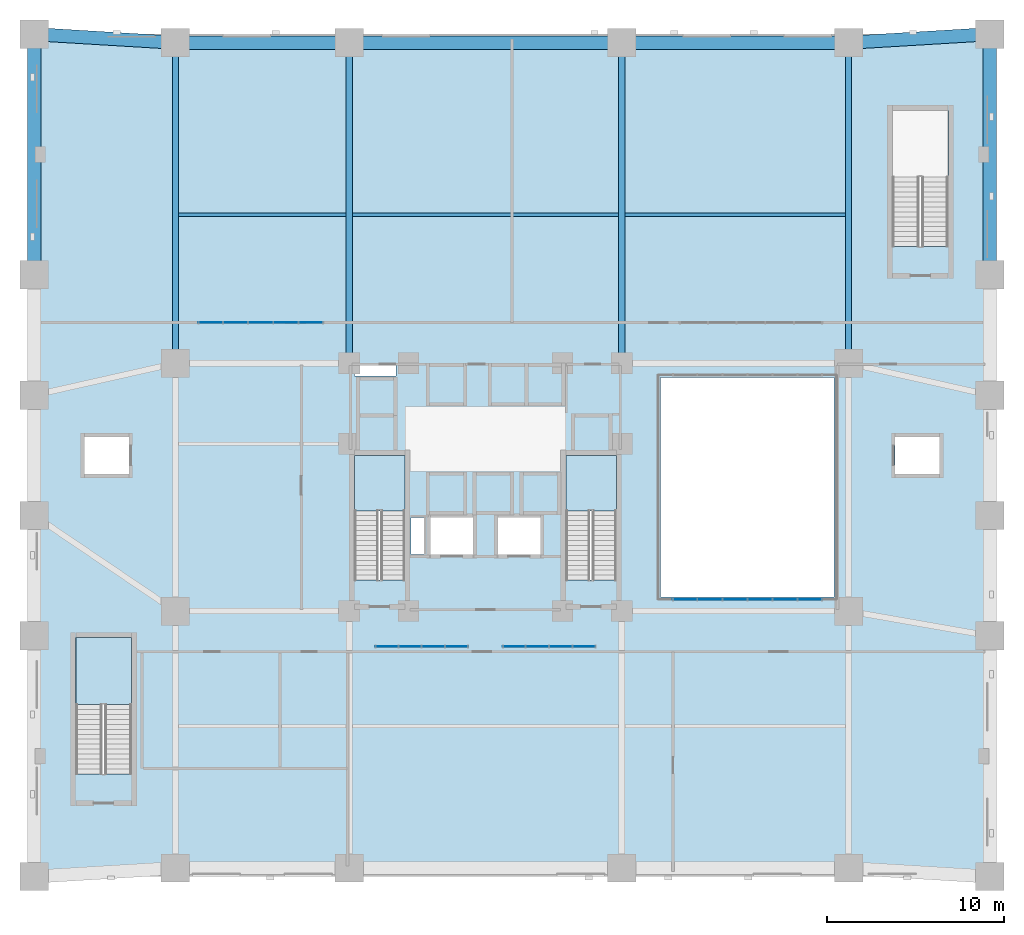
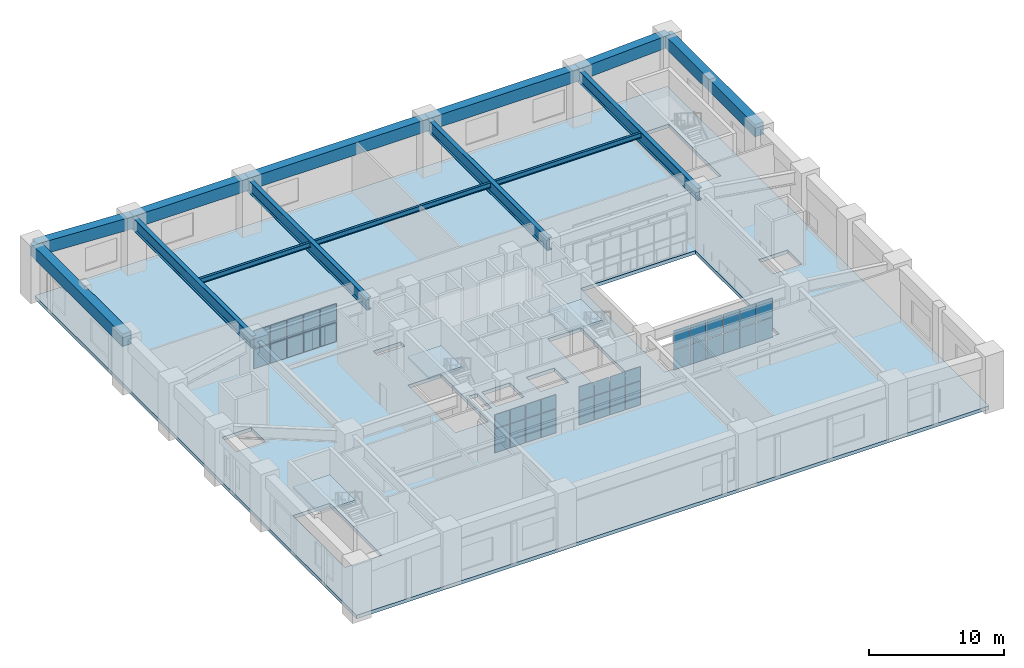
# One storey, part 6 of 14: 38 plates, 14 beams, 4 slabs, 7 elements without a shape of their own.
"""IFC4 building model written with IfcOpenShell, lengths in metres."""

from ifc_helpers import new_model, si_unit, derived_unit, direction, frame, origin, origin_2d, place, context, subcontext, project, spatial, polyline, rectangle, i_section, outline, extrude, material, layer, layer_set, material_profile, profile_set, type_object, element, aggregate, save


model = new_model("IFC4")

# Units and contexts
model_context = context("Model", 3, precision=1e-05, world=origin(), true_north=direction((0.0, 1.0)))
body_context = subcontext(model_context, "Body", "Model", "MODEL_VIEW")
ifc_project = project(units=[si_unit("LENGTHUNIT", "METRE"), si_unit("AREAUNIT", "SQUARE_METRE"), si_unit("VOLUMEUNIT", "CUBIC_METRE"), si_unit("PLANEANGLEUNIT", "RADIAN"), si_unit("MASSUNIT", "GRAM", prefix="KILO"), derived_unit("THERMALTRANSMITTANCEUNIT", [(si_unit("MASSUNIT", "GRAM", prefix="KILO"), 1), (si_unit("TIMEUNIT", "SECOND"), -3), (si_unit("THERMODYNAMICTEMPERATUREUNIT", "KELVIN"), -1)])], contexts=[model_context])

# Site, building, storey
site_placement = place(None, origin())
site = spatial("IfcSite", under=ifc_project, at=site_placement, CompositionType="ELEMENT")
building_placement = place(site_placement, origin())
building = spatial("IfcBuilding", under=site, at=building_placement, Name="Korrvale Station Residences", CompositionType="ELEMENT")
storey_placement = place(building_placement, frame((0.0, 0.0, 6.0)))
storey = spatial("IfcBuildingStorey", under=building, at=storey_placement, Name="L01", CompositionType="ELEMENT", Elevation=6.0)

# Beams
ifc_material_1 = material(Name="Steel S355", Category="steel")
ifc_material_profile_1 = material_profile(ifc_material_1, i_section(OverallWidth=0.35009765625, OverallDepth=1.10009765625, WebThickness=0.01611328125, FlangeThickness=0.034912109375, FilletRadius=0.01806640625, at=origin_2d()), Name="WWF1100x351")
ifc_profile_set_1 = profile_set([ifc_material_profile_1], Name="Steel S355")
beam_type_1 = type_object("IfcBeamType", Name="BM-BM-WWF1100x351-S355", PredefinedType="BEAM", material=ifc_profile_set_1)
for number, where, z_axis, x_axis, name in (
    (1, (7.97998046875, 29.0, 4.330078125), (0.0, 1.0, 0.0), (-1.0, 0.0, 0.0), "L01 Station Primary Girder 03"),
    (2, (46.02001953125, 29.0, 4.330078125), (0.0, 1.0, 0.0), (-1.0, 0.0, 0.0), "L01 Station Primary Girder 06"),
    (3, (17.800048828125, 29.0, 4.330078125), (0.0, 1.0, 0.0), (-1.0, 0.0, 0.0), "L01 Station Primary Girder 09"),
    (4, (33.199951171875, 29.0, 4.330078125), (0.0, 1.0, 0.0), (-1.0, 0.0, 0.0), "L01 Station Primary Girder 10"),
):
    element("IfcBeam", number, at=place(storey_placement, frame(where, z_axis=z_axis, x_axis=x_axis)), inside=storey, type_object=beam_type_1, Name=name, PredefinedType="BEAM", context=body_context, shape_type="SweptSolid", body=[
        extrude(i_section(OverallWidth=0.35009765625, OverallDepth=1.10009765625, WebThickness=0.01611328125, FlangeThickness=0.034912109375, FilletRadius=0.01806640625, at=origin_2d()), origin(), (0.0, 0.0, 1.0), 18.1201171875),
    ])
ifc_material_profile_2 = material_profile(ifc_material_1, i_section(OverallWidth=0.18994140625, OverallDepth=0.45703125, WebThickness=0.009033203125, FlangeThickness=0.014404296875, FilletRadius=0.01611328125, at=origin_2d()), Name="W460x74")
ifc_profile_set_2 = profile_set([ifc_material_profile_2], Name="Steel S355")
beam_type_2 = type_object("IfcBeamType", Name="BM-JST-W460x74-S355", PredefinedType="JOIST", material=ifc_profile_set_2)
beam_1_placement = place(storey_placement, frame((8.155029296875, 37.39990234375, 4.651611328125), z_axis=(1.0, 0.0, 0.0), x_axis=(0.0, 1.0, 0.0)))
element("IfcBeam", 5, at=beam_1_placement, inside=storey, type_object=beam_type_2, Name="L01 Station Floor Joist 01", PredefinedType="JOIST", context=body_context, shape_type="SweptSolid", body=[
    extrude(i_section(OverallWidth=0.18994140625, OverallDepth=0.45703125, WebThickness=0.009033203125, FlangeThickness=0.014404296875, FilletRadius=0.01611328125, at=origin_2d()), origin(), (0.0, 0.0, 1.0), 9.469970703125),
])
beam_2_placement = place(storey_placement, frame((17.97509765625, 37.39990234375, 4.651611328125), z_axis=(1.0, 0.0, 0.0), x_axis=(0.0, 1.0, 0.0)))
element("IfcBeam", 6, at=beam_2_placement, inside=storey, type_object=beam_type_2, Name="L01 Station Floor Joist 02", PredefinedType="JOIST", context=body_context, shape_type="SweptSolid", body=[
    extrude(i_section(OverallWidth=0.18994140625, OverallDepth=0.45703125, WebThickness=0.009033203125, FlangeThickness=0.014404296875, FilletRadius=0.01611328125, at=origin_2d()), origin(), (0.0, 0.0, 1.0), 15.0498046875),
])
beam_3_placement = place(storey_placement, frame((33.375, 37.39990234375, 4.651611328125), z_axis=(1.0, 0.0, 0.0), x_axis=(0.0, 1.0, 0.0)))
element("IfcBeam", 7, at=beam_3_placement, inside=storey, type_object=beam_type_2, Name="L01 Station Floor Joist 03", PredefinedType="JOIST", context=body_context, shape_type="SweptSolid", body=[
    extrude(i_section(OverallWidth=0.18994140625, OverallDepth=0.45703125, WebThickness=0.009033203125, FlangeThickness=0.014404296875, FilletRadius=0.01611328125, at=origin_2d()), origin(), (0.0, 0.0, 1.0), 12.469970703125),
])
ifc_material_2 = material(Name="Concrete C70/85", Category="concrete")
ifc_material_profile_3 = material_profile(ifc_material_2, rectangle(XDim=0.75, YDim=1.10009765625, at=origin_2d()), Name="RCB750x1100")
ifc_profile_set_3 = profile_set([ifc_material_profile_3], Name="Concrete C70/85")
beam_type_3 = type_object("IfcBeamType", Name="BM-SPB-RCB750x1100-C7085", PredefinedType="SPANDREL", material=ifc_profile_set_3)
for number, where, z_axis, x_axis, name in (
    (8, (0.0, 34.0, 4.330078125), (0.0, 1.0, 0.0), (-1.0, 0.0, 0.0), "L01 Station Spandrel Beam 05"),
    (9, (54.0, 34.0, 4.330078125), (0.0, 1.0, 0.0), (-1.0, 0.0, 0.0), "L01 Station Spandrel Beam 10"),
):
    element("IfcBeam", number, at=place(storey_placement, frame(where, z_axis=z_axis, x_axis=x_axis)), inside=storey, type_object=beam_type_3, Name=name, PredefinedType="SPANDREL", context=body_context, shape_type="SweptSolid", body=[
        extrude(rectangle(XDim=0.75, YDim=1.10009765625, at=origin_2d()), origin(), (0.0, 0.0, 1.0), 13.60009765625),
    ])
beam_4_placement = place(storey_placement, frame((0.0, 47.60009765625, 4.330078125), z_axis=(0.998195997903, -0.060039568374, 0.0), x_axis=(0.060039568374, 0.998195997903, 0.0)))
element("IfcBeam", 10, at=beam_4_placement, inside=storey, type_object=beam_type_3, Name="L01 Station Spandrel Beam 16", PredefinedType="SPANDREL", context=body_context, shape_type="SweptSolid", body=[
    extrude(rectangle(XDim=0.75, YDim=1.10009765625, at=origin_2d()), origin(), (0.0, 0.0, 1.0), 7.994384765625),
])
beam_5_placement = place(storey_placement, frame((7.97998046875, 47.1201171875, 4.330078125), z_axis=(1.0, 0.0, 0.0), x_axis=(0.0, 1.0, 0.0)))
element("IfcBeam", 11, at=beam_5_placement, inside=storey, type_object=beam_type_3, Name="L01 Station Spandrel Beam 17", PredefinedType="SPANDREL", context=body_context, shape_type="SweptSolid", body=[
    extrude(rectangle(XDim=0.75, YDim=1.10009765625, at=origin_2d()), origin(), (0.0, 0.0, 1.0), 9.820068359375),
])
beam_6_placement = place(storey_placement, frame((17.800048828125, 47.1201171875, 4.330078125), z_axis=(1.0, 0.0, 0.0), x_axis=(0.0, 1.0, 0.0)))
element("IfcBeam", 12, at=beam_6_placement, inside=storey, type_object=beam_type_3, Name="L01 Station Spandrel Beam 18", PredefinedType="SPANDREL", context=body_context, shape_type="SweptSolid", body=[
    extrude(rectangle(XDim=0.75, YDim=1.10009765625, at=origin_2d()), origin(), (0.0, 0.0, 1.0), 15.39990234375),
])
beam_7_placement = place(storey_placement, frame((33.199951171875, 47.1201171875, 4.330078125), z_axis=(1.0, 0.0, 0.0), x_axis=(0.0, 1.0, 0.0)))
element("IfcBeam", 13, at=beam_7_placement, inside=storey, type_object=beam_type_3, Name="L01 Station Spandrel Beam 19", PredefinedType="SPANDREL", context=body_context, shape_type="SweptSolid", body=[
    extrude(rectangle(XDim=0.75, YDim=1.10009765625, at=origin_2d()), origin(), (0.0, 0.0, 1.0), 12.820068359375),
])
beam_8_placement = place(storey_placement, frame((46.02001953125, 47.1201171875, 4.330078125), z_axis=(0.998195997903, 0.060039568374, 0.0), x_axis=(-0.060039568374, 0.998195997903, 0.0)))
element("IfcBeam", 14, at=beam_8_placement, inside=storey, type_object=beam_type_3, Name="L01 Station Spandrel Beam 20", PredefinedType="SPANDREL", context=body_context, shape_type="SweptSolid", body=[
    extrude(rectangle(XDim=0.75, YDim=1.10009765625, at=origin_2d()), origin(), (0.0, 0.0, 1.0), 7.994384765625),
])

# Curtain wall, plates
ifc_material_3 = material(Name="Unitised thermally broken aluminium curtain wall with triple low-e IGU", Category="aluminium")
curtain_wall_type_1 = type_object("IfcCurtainWallType", Name="CW-ATR-POD", PredefinedType="NOTDEFINED", material=ifc_material_3)
curtain_wall_1_placement = place(storey_placement, origin())
curtain_wall_1 = element("IfcCurtainWall", 15, at=curtain_wall_1_placement, inside=storey, type_object=curtain_wall_type_1, Name="L01 Curtain Wall CW3-RUN-1", PredefinedType="NOTDEFINED")
ifc_material_4 = material(Name="Triple-glazed low-e argon insulated glass unit", Category="glass")
ifc_layer_1 = layer(ifc_material_4, 0.035888671875, Name="Triple-glazed low-e argon insulated glass unit")
ifc_layer_set_1 = layer_set([ifc_layer_1], Name="Triple-glazed low-e argon insulated glass unit")
plate_type_1 = type_object("IfcPlateType", Name="CW-ATR-POD-P", PredefinedType="CURTAIN_PANEL", material=ifc_layer_set_1)
plate_1_placement = place(storey_placement, frame((36.75830078125, 15.64990234375, 0.030029296875), z_axis=(0.0, 0.0, 1.0), x_axis=(1.0, 0.0, 0.0)))
plate_1 = element("IfcPlate", 16, at=plate_1_placement, type_object=plate_type_1, Name="CW-ATR-POD Glazing Panel 1-1", PredefinedType="CURTAIN_PANEL", context=body_context, shape_type="SweptSolid", body=[
    extrude(rectangle(XDim=1.356689453125, YDim=0.035888671875, at=origin_2d()), origin(), (0.0, 0.0, 1.0), 1.7900390625),
])
plate_2_placement = place(storey_placement, frame((36.75830078125, 15.64990234375, 1.880126953125), z_axis=(0.0, 0.0, 1.0), x_axis=(1.0, 0.0, 0.0)))
plate_2 = element("IfcPlate", 17, at=plate_2_placement, type_object=plate_type_1, Name="CW-ATR-POD Glazing Panel 1-2", PredefinedType="CURTAIN_PANEL", context=body_context, shape_type="SweptSolid", body=[
    extrude(rectangle(XDim=1.356689453125, YDim=0.035888671875, at=origin_2d()), origin(), (0.0, 0.0, 1.0), 1.68994140625),
])
plate_3_placement = place(storey_placement, frame((38.175048828125, 15.64990234375, 0.030029296875), z_axis=(0.0, 0.0, 1.0), x_axis=(1.0, 0.0, 0.0)))
plate_3 = element("IfcPlate", 18, at=plate_3_placement, type_object=plate_type_1, Name="CW-ATR-POD Glazing Panel 2-1", PredefinedType="CURTAIN_PANEL", context=body_context, shape_type="SweptSolid", body=[
    extrude(rectangle(XDim=1.356689453125, YDim=0.035888671875, at=origin_2d()), origin(), (0.0, 0.0, 1.0), 1.7900390625),
])
plate_4_placement = place(storey_placement, frame((38.175048828125, 15.64990234375, 1.880126953125), z_axis=(0.0, 0.0, 1.0), x_axis=(1.0, 0.0, 0.0)))
plate_4 = element("IfcPlate", 19, at=plate_4_placement, type_object=plate_type_1, Name="CW-ATR-POD Glazing Panel 2-2", PredefinedType="CURTAIN_PANEL", context=body_context, shape_type="SweptSolid", body=[
    extrude(rectangle(XDim=1.356689453125, YDim=0.035888671875, at=origin_2d()), origin(), (0.0, 0.0, 1.0), 1.68994140625),
])
plate_5_placement = place(storey_placement, frame((39.591796875, 15.64990234375, 0.030029296875), z_axis=(0.0, 0.0, 1.0), x_axis=(1.0, 0.0, 0.0)))
plate_5 = element("IfcPlate", 20, at=plate_5_placement, type_object=plate_type_1, Name="CW-ATR-POD Glazing Panel 3-1", PredefinedType="CURTAIN_PANEL", context=body_context, shape_type="SweptSolid", body=[
    extrude(rectangle(XDim=1.356689453125, YDim=0.035888671875, at=origin_2d()), origin(), (0.0, 0.0, 1.0), 1.7900390625),
])
plate_6_placement = place(storey_placement, frame((39.591796875, 15.64990234375, 1.880126953125), z_axis=(0.0, 0.0, 1.0), x_axis=(1.0, 0.0, 0.0)))
plate_6 = element("IfcPlate", 21, at=plate_6_placement, type_object=plate_type_1, Name="CW-ATR-POD Glazing Panel 3-2", PredefinedType="CURTAIN_PANEL", context=body_context, shape_type="SweptSolid", body=[
    extrude(rectangle(XDim=1.356689453125, YDim=0.035888671875, at=origin_2d()), origin(), (0.0, 0.0, 1.0), 1.68994140625),
])
plate_7_placement = place(storey_placement, frame((41.00830078125, 15.64990234375, 0.030029296875), z_axis=(0.0, 0.0, 1.0), x_axis=(1.0, 0.0, 0.0)))
plate_7 = element("IfcPlate", 22, at=plate_7_placement, type_object=plate_type_1, Name="CW-ATR-POD Glazing Panel 4-1", PredefinedType="CURTAIN_PANEL", context=body_context, shape_type="SweptSolid", body=[
    extrude(rectangle(XDim=1.356689453125, YDim=0.035888671875, at=origin_2d()), origin(), (0.0, 0.0, 1.0), 1.7900390625),
])
plate_8_placement = place(storey_placement, frame((41.00830078125, 15.64990234375, 1.880126953125), z_axis=(0.0, 0.0, 1.0), x_axis=(1.0, 0.0, 0.0)))
plate_8 = element("IfcPlate", 23, at=plate_8_placement, type_object=plate_type_1, Name="CW-ATR-POD Glazing Panel 4-2", PredefinedType="CURTAIN_PANEL", context=body_context, shape_type="SweptSolid", body=[
    extrude(rectangle(XDim=1.356689453125, YDim=0.035888671875, at=origin_2d()), origin(), (0.0, 0.0, 1.0), 1.68994140625),
])
plate_9_placement = place(storey_placement, frame((42.425048828125, 15.64990234375, 0.030029296875), z_axis=(0.0, 0.0, 1.0), x_axis=(1.0, 0.0, 0.0)))
plate_9 = element("IfcPlate", 24, at=plate_9_placement, type_object=plate_type_1, Name="CW-ATR-POD Glazing Panel 5-1", PredefinedType="CURTAIN_PANEL", context=body_context, shape_type="SweptSolid", body=[
    extrude(rectangle(XDim=1.356689453125, YDim=0.035888671875, at=origin_2d()), origin(), (0.0, 0.0, 1.0), 1.7900390625),
])
plate_10_placement = place(storey_placement, frame((42.425048828125, 15.64990234375, 1.880126953125), z_axis=(0.0, 0.0, 1.0), x_axis=(1.0, 0.0, 0.0)))
plate_10 = element("IfcPlate", 25, at=plate_10_placement, type_object=plate_type_1, Name="CW-ATR-POD Glazing Panel 5-2", PredefinedType="CURTAIN_PANEL", context=body_context, shape_type="SweptSolid", body=[
    extrude(rectangle(XDim=1.356689453125, YDim=0.035888671875, at=origin_2d()), origin(), (0.0, 0.0, 1.0), 1.68994140625),
])
plate_11_placement = place(storey_placement, frame((43.841796875, 15.64990234375, 0.030029296875), z_axis=(0.0, 0.0, 1.0), x_axis=(1.0, 0.0, 0.0)))
plate_11 = element("IfcPlate", 26, at=plate_11_placement, type_object=plate_type_1, Name="CW-ATR-POD Glazing Panel 6-1", PredefinedType="CURTAIN_PANEL", context=body_context, shape_type="SweptSolid", body=[
    extrude(rectangle(XDim=1.356689453125, YDim=0.035888671875, at=origin_2d()), origin(), (0.0, 0.0, 1.0), 1.7900390625),
])
plate_12_placement = place(storey_placement, frame((43.841796875, 15.64990234375, 1.880126953125), z_axis=(0.0, 0.0, 1.0), x_axis=(1.0, 0.0, 0.0)))
plate_12 = element("IfcPlate", 27, at=plate_12_placement, type_object=plate_type_1, Name="CW-ATR-POD Glazing Panel 6-2", PredefinedType="CURTAIN_PANEL", context=body_context, shape_type="SweptSolid", body=[
    extrude(rectangle(XDim=1.356689453125, YDim=0.035888671875, at=origin_2d()), origin(), (0.0, 0.0, 1.0), 1.68994140625),
])
aggregate(curtain_wall_1, [plate_1, plate_2, plate_3, plate_4, plate_5, plate_6, plate_7, plate_8, plate_9, plate_10, plate_11, plate_12])

curtain_wall_type_2 = type_object("IfcCurtainWallType", Name="CW-STN-CON", PredefinedType="NOTDEFINED", material=ifc_material_3)
curtain_wall_2_placement = place(storey_placement, origin())
curtain_wall_2 = element("IfcCurtainWall", 28, at=curtain_wall_2_placement, inside=storey, type_object=curtain_wall_type_2, Name="L01 Curtain Wall CW2-RUN-3", PredefinedType="NOTDEFINED")
ifc_layer_2 = layer(ifc_material_4, 0.035888671875, Name="Triple-glazed low-e argon insulated glass unit")
ifc_layer_set_2 = layer_set([ifc_layer_2], Name="Triple-glazed low-e argon insulated glass unit")
plate_type_2 = type_object("IfcPlateType", Name="CW-STN-CON-P", PredefinedType="CURTAIN_PANEL", material=ifc_layer_set_2)
plate_13_placement = place(storey_placement, frame((9.9599609375, 31.300048828125, 0.02978515625), z_axis=(0.0, 0.0, 1.0), x_axis=(1.0, 0.0, 0.0)))
plate_13 = element("IfcPlate", 29, at=plate_13_placement, type_object=plate_type_2, Name="CW-STN-CON Glazing Panel 1-1", PredefinedType="CURTAIN_PANEL", context=body_context, shape_type="SweptSolid", body=[
    extrude(rectangle(XDim=1.360107421875, YDim=0.035888671875, at=origin_2d()), origin(), (0.0, 0.0, 1.0), 1.739990234375),
])
plate_14_placement = place(storey_placement, frame((9.9599609375, 31.300048828125, 1.830078125), z_axis=(0.0, 0.0, 1.0), x_axis=(1.0, 0.0, 0.0)))
plate_14 = element("IfcPlate", 30, at=plate_14_placement, type_object=plate_type_2, Name="CW-STN-CON Glazing Panel 1-2", PredefinedType="CURTAIN_PANEL", context=body_context, shape_type="SweptSolid", body=[
    extrude(rectangle(XDim=1.360107421875, YDim=0.035888671875, at=origin_2d()), origin(), (0.0, 0.0, 1.0), 1.639892578125),
])
plate_15_placement = place(storey_placement, frame((11.3798828125, 31.300048828125, 0.02978515625), z_axis=(0.0, 0.0, 1.0), x_axis=(1.0, 0.0, 0.0)))
plate_15 = element("IfcPlate", 31, at=plate_15_placement, type_object=plate_type_2, Name="CW-STN-CON Glazing Panel 2-1", PredefinedType="CURTAIN_PANEL", context=body_context, shape_type="SweptSolid", body=[
    extrude(rectangle(XDim=1.360107421875, YDim=0.035888671875, at=origin_2d()), origin(), (0.0, 0.0, 1.0), 1.739990234375),
])
plate_16_placement = place(storey_placement, frame((11.3798828125, 31.300048828125, 1.830078125), z_axis=(0.0, 0.0, 1.0), x_axis=(1.0, 0.0, 0.0)))
plate_16 = element("IfcPlate", 32, at=plate_16_placement, type_object=plate_type_2, Name="CW-STN-CON Glazing Panel 2-2", PredefinedType="CURTAIN_PANEL", context=body_context, shape_type="SweptSolid", body=[
    extrude(rectangle(XDim=1.360107421875, YDim=0.035888671875, at=origin_2d()), origin(), (0.0, 0.0, 1.0), 1.639892578125),
])
plate_17_placement = place(storey_placement, frame((12.800048828125, 31.300048828125, 0.02978515625), z_axis=(0.0, 0.0, 1.0), x_axis=(1.0, 0.0, 0.0)))
plate_17 = element("IfcPlate", 33, at=plate_17_placement, type_object=plate_type_2, Name="CW-STN-CON Glazing Panel 3-1", PredefinedType="CURTAIN_PANEL", context=body_context, shape_type="SweptSolid", body=[
    extrude(rectangle(XDim=1.360107421875, YDim=0.035888671875, at=origin_2d()), origin(), (0.0, 0.0, 1.0), 1.739990234375),
])
plate_18_placement = place(storey_placement, frame((12.800048828125, 31.300048828125, 1.830078125), z_axis=(0.0, 0.0, 1.0), x_axis=(1.0, 0.0, 0.0)))
plate_18 = element("IfcPlate", 34, at=plate_18_placement, type_object=plate_type_2, Name="CW-STN-CON Glazing Panel 3-2", PredefinedType="CURTAIN_PANEL", context=body_context, shape_type="SweptSolid", body=[
    extrude(rectangle(XDim=1.360107421875, YDim=0.035888671875, at=origin_2d()), origin(), (0.0, 0.0, 1.0), 1.639892578125),
])
plate_19_placement = place(storey_placement, frame((14.219970703125, 31.300048828125, 0.02978515625), z_axis=(0.0, 0.0, 1.0), x_axis=(1.0, 0.0, 0.0)))
plate_19 = element("IfcPlate", 35, at=plate_19_placement, type_object=plate_type_2, Name="CW-STN-CON Glazing Panel 4-1", PredefinedType="CURTAIN_PANEL", context=body_context, shape_type="SweptSolid", body=[
    extrude(rectangle(XDim=1.360107421875, YDim=0.035888671875, at=origin_2d()), origin(), (0.0, 0.0, 1.0), 1.739990234375),
])
plate_20_placement = place(storey_placement, frame((14.219970703125, 31.300048828125, 1.830078125), z_axis=(0.0, 0.0, 1.0), x_axis=(1.0, 0.0, 0.0)))
plate_20 = element("IfcPlate", 36, at=plate_20_placement, type_object=plate_type_2, Name="CW-STN-CON Glazing Panel 4-2", PredefinedType="CURTAIN_PANEL", context=body_context, shape_type="SweptSolid", body=[
    extrude(rectangle(XDim=1.360107421875, YDim=0.035888671875, at=origin_2d()), origin(), (0.0, 0.0, 1.0), 1.639892578125),
])
plate_21_placement = place(storey_placement, frame((15.639892578125, 31.300048828125, 0.02978515625), z_axis=(0.0, 0.0, 1.0), x_axis=(1.0, 0.0, 0.0)))
plate_21 = element("IfcPlate", 37, at=plate_21_placement, type_object=plate_type_2, Name="CW-STN-CON Glazing Panel 5-1", PredefinedType="CURTAIN_PANEL", context=body_context, shape_type="SweptSolid", body=[
    extrude(rectangle(XDim=1.360107421875, YDim=0.035888671875, at=origin_2d()), origin(), (0.0, 0.0, 1.0), 1.739990234375),
])
plate_22_placement = place(storey_placement, frame((15.639892578125, 31.300048828125, 1.830078125), z_axis=(0.0, 0.0, 1.0), x_axis=(1.0, 0.0, 0.0)))
plate_22 = element("IfcPlate", 38, at=plate_22_placement, type_object=plate_type_2, Name="CW-STN-CON Glazing Panel 5-2", PredefinedType="CURTAIN_PANEL", context=body_context, shape_type="SweptSolid", body=[
    extrude(rectangle(XDim=1.360107421875, YDim=0.035888671875, at=origin_2d()), origin(), (0.0, 0.0, 1.0), 1.639892578125),
])
aggregate(curtain_wall_2, [plate_13, plate_14, plate_15, plate_16, plate_17, plate_18, plate_19, plate_20, plate_21, plate_22])

curtain_wall_type_3 = type_object("IfcCurtainWallType", Name="CW-STN-ENT", PredefinedType="NOTDEFINED", material=ifc_material_3)
curtain_wall_3_placement = place(storey_placement, origin())
curtain_wall_3 = element("IfcCurtainWall", 39, at=curtain_wall_3_placement, inside=storey, type_object=curtain_wall_type_3, Name="L01 Curtain Wall CW1-RUN-5", PredefinedType="NOTDEFINED")
ifc_layer_3 = layer(ifc_material_4, 0.035888671875, Name="Triple-glazed low-e argon insulated glass unit")
ifc_layer_set_3 = layer_set([ifc_layer_3], Name="Triple-glazed low-e argon insulated glass unit")
plate_type_3 = type_object("IfcPlateType", Name="CW-STN-ENT-P", PredefinedType="CURTAIN_PANEL", material=ifc_layer_set_3)
plate_23_placement = place(storey_placement, frame((19.91259765625, 13.0, 0.03271484375), z_axis=(0.0, 0.0, 1.0), x_axis=(1.0, 0.0, 0.0)))
plate_23 = element("IfcPlate", 40, at=plate_23_placement, type_object=plate_type_3, Name="CW-STN-ENT Glazing Panel 1-1", PredefinedType="CURTAIN_PANEL", context=body_context, shape_type="SweptSolid", body=[
    extrude(rectangle(XDim=1.260009765625, YDim=0.035888671875, at=origin_2d()), origin(), (0.0, 0.0, 1.0), 2.135009765625),
])
plate_24_placement = place(storey_placement, frame((19.91259765625, 13.0, 2.232421875), z_axis=(0.0, 0.0, 1.0), x_axis=(1.0, 0.0, 0.0)))
plate_24 = element("IfcPlate", 41, at=plate_24_placement, type_object=plate_type_3, Name="CW-STN-ENT Glazing Panel 1-2", PredefinedType="CURTAIN_PANEL", context=body_context, shape_type="SweptSolid", body=[
    extrude(rectangle(XDim=1.260009765625, YDim=0.035888671875, at=origin_2d()), origin(), (0.0, 0.0, 1.0), 1.235107421875),
])
plate_25_placement = place(storey_placement, frame((21.237548828125, 13.0, 0.03271484375), z_axis=(0.0, 0.0, 1.0), x_axis=(1.0, 0.0, 0.0)))
plate_25 = element("IfcPlate", 42, at=plate_25_placement, type_object=plate_type_3, Name="CW-STN-ENT Glazing Panel 2-1", PredefinedType="CURTAIN_PANEL", context=body_context, shape_type="SweptSolid", body=[
    extrude(rectangle(XDim=1.260009765625, YDim=0.035888671875, at=origin_2d()), origin(), (0.0, 0.0, 1.0), 2.135009765625),
])
plate_26_placement = place(storey_placement, frame((21.237548828125, 13.0, 2.232421875), z_axis=(0.0, 0.0, 1.0), x_axis=(1.0, 0.0, 0.0)))
plate_26 = element("IfcPlate", 43, at=plate_26_placement, type_object=plate_type_3, Name="CW-STN-ENT Glazing Panel 2-2", PredefinedType="CURTAIN_PANEL", context=body_context, shape_type="SweptSolid", body=[
    extrude(rectangle(XDim=1.260009765625, YDim=0.035888671875, at=origin_2d()), origin(), (0.0, 0.0, 1.0), 1.235107421875),
])
plate_27_placement = place(storey_placement, frame((22.5625, 13.0, 0.03271484375), z_axis=(0.0, 0.0, 1.0), x_axis=(1.0, 0.0, 0.0)))
plate_27 = element("IfcPlate", 44, at=plate_27_placement, type_object=plate_type_3, Name="CW-STN-ENT Glazing Panel 3-1", PredefinedType="CURTAIN_PANEL", context=body_context, shape_type="SweptSolid", body=[
    extrude(rectangle(XDim=1.260009765625, YDim=0.035888671875, at=origin_2d()), origin(), (0.0, 0.0, 1.0), 2.135009765625),
])
plate_28_placement = place(storey_placement, frame((22.5625, 13.0, 2.232421875), z_axis=(0.0, 0.0, 1.0), x_axis=(1.0, 0.0, 0.0)))
plate_28 = element("IfcPlate", 45, at=plate_28_placement, type_object=plate_type_3, Name="CW-STN-ENT Glazing Panel 3-2", PredefinedType="CURTAIN_PANEL", context=body_context, shape_type="SweptSolid", body=[
    extrude(rectangle(XDim=1.260009765625, YDim=0.035888671875, at=origin_2d()), origin(), (0.0, 0.0, 1.0), 1.235107421875),
])
plate_29_placement = place(storey_placement, frame((23.887451171875, 13.0, 0.03271484375), z_axis=(0.0, 0.0, 1.0), x_axis=(1.0, 0.0, 0.0)))
plate_29 = element("IfcPlate", 46, at=plate_29_placement, type_object=plate_type_3, Name="CW-STN-ENT Glazing Panel 4-1", PredefinedType="CURTAIN_PANEL", context=body_context, shape_type="SweptSolid", body=[
    extrude(rectangle(XDim=1.260009765625, YDim=0.035888671875, at=origin_2d()), origin(), (0.0, 0.0, 1.0), 2.135009765625),
])
plate_30_placement = place(storey_placement, frame((23.887451171875, 13.0, 2.232421875), z_axis=(0.0, 0.0, 1.0), x_axis=(1.0, 0.0, 0.0)))
plate_30 = element("IfcPlate", 47, at=plate_30_placement, type_object=plate_type_3, Name="CW-STN-ENT Glazing Panel 4-2", PredefinedType="CURTAIN_PANEL", context=body_context, shape_type="SweptSolid", body=[
    extrude(rectangle(XDim=1.260009765625, YDim=0.035888671875, at=origin_2d()), origin(), (0.0, 0.0, 1.0), 1.235107421875),
])
aggregate(curtain_wall_3, [plate_23, plate_24, plate_25, plate_26, plate_27, plate_28, plate_29, plate_30])

curtain_wall_4_placement = place(storey_placement, origin())
curtain_wall_4 = element("IfcCurtainWall", 48, at=curtain_wall_4_placement, inside=storey, type_object=curtain_wall_type_3, Name="L01 Curtain Wall CW1-RUN-6", PredefinedType="NOTDEFINED")
plate_31_placement = place(storey_placement, frame((27.112548828125, 13.0, 0.03271484375), z_axis=(0.0, 0.0, 1.0), x_axis=(1.0, 0.0, 0.0)))
plate_31 = element("IfcPlate", 49, at=plate_31_placement, type_object=plate_type_3, Name="CW-STN-ENT Glazing Panel 1-1", PredefinedType="CURTAIN_PANEL", context=body_context, shape_type="SweptSolid", body=[
    extrude(rectangle(XDim=1.260009765625, YDim=0.035888671875, at=origin_2d()), origin(), (0.0, 0.0, 1.0), 2.135009765625),
])
plate_32_placement = place(storey_placement, frame((27.112548828125, 13.0, 2.232421875), z_axis=(0.0, 0.0, 1.0), x_axis=(1.0, 0.0, 0.0)))
plate_32 = element("IfcPlate", 50, at=plate_32_placement, type_object=plate_type_3, Name="CW-STN-ENT Glazing Panel 1-2", PredefinedType="CURTAIN_PANEL", context=body_context, shape_type="SweptSolid", body=[
    extrude(rectangle(XDim=1.260009765625, YDim=0.035888671875, at=origin_2d()), origin(), (0.0, 0.0, 1.0), 1.235107421875),
])
plate_33_placement = place(storey_placement, frame((28.4375, 13.0, 0.03271484375), z_axis=(0.0, 0.0, 1.0), x_axis=(1.0, 0.0, 0.0)))
plate_33 = element("IfcPlate", 51, at=plate_33_placement, type_object=plate_type_3, Name="CW-STN-ENT Glazing Panel 2-1", PredefinedType="CURTAIN_PANEL", context=body_context, shape_type="SweptSolid", body=[
    extrude(rectangle(XDim=1.260009765625, YDim=0.035888671875, at=origin_2d()), origin(), (0.0, 0.0, 1.0), 2.135009765625),
])
plate_34_placement = place(storey_placement, frame((28.4375, 13.0, 2.232421875), z_axis=(0.0, 0.0, 1.0), x_axis=(1.0, 0.0, 0.0)))
plate_34 = element("IfcPlate", 52, at=plate_34_placement, type_object=plate_type_3, Name="CW-STN-ENT Glazing Panel 2-2", PredefinedType="CURTAIN_PANEL", context=body_context, shape_type="SweptSolid", body=[
    extrude(rectangle(XDim=1.260009765625, YDim=0.035888671875, at=origin_2d()), origin(), (0.0, 0.0, 1.0), 1.235107421875),
])
plate_35_placement = place(storey_placement, frame((29.762451171875, 13.0, 0.03271484375), z_axis=(0.0, 0.0, 1.0), x_axis=(1.0, 0.0, 0.0)))
plate_35 = element("IfcPlate", 53, at=plate_35_placement, type_object=plate_type_3, Name="CW-STN-ENT Glazing Panel 3-1", PredefinedType="CURTAIN_PANEL", context=body_context, shape_type="SweptSolid", body=[
    extrude(rectangle(XDim=1.260009765625, YDim=0.035888671875, at=origin_2d()), origin(), (0.0, 0.0, 1.0), 2.135009765625),
])
plate_36_placement = place(storey_placement, frame((29.762451171875, 13.0, 2.232421875), z_axis=(0.0, 0.0, 1.0), x_axis=(1.0, 0.0, 0.0)))
plate_36 = element("IfcPlate", 54, at=plate_36_placement, type_object=plate_type_3, Name="CW-STN-ENT Glazing Panel 3-2", PredefinedType="CURTAIN_PANEL", context=body_context, shape_type="SweptSolid", body=[
    extrude(rectangle(XDim=1.260009765625, YDim=0.035888671875, at=origin_2d()), origin(), (0.0, 0.0, 1.0), 1.235107421875),
])
plate_37_placement = place(storey_placement, frame((31.08740234375, 13.0, 0.03271484375), z_axis=(0.0, 0.0, 1.0), x_axis=(1.0, 0.0, 0.0)))
plate_37 = element("IfcPlate", 55, at=plate_37_placement, type_object=plate_type_3, Name="CW-STN-ENT Glazing Panel 4-1", PredefinedType="CURTAIN_PANEL", context=body_context, shape_type="SweptSolid", body=[
    extrude(rectangle(XDim=1.260009765625, YDim=0.035888671875, at=origin_2d()), origin(), (0.0, 0.0, 1.0), 2.135009765625),
])
plate_38_placement = place(storey_placement, frame((31.08740234375, 13.0, 2.232421875), z_axis=(0.0, 0.0, 1.0), x_axis=(1.0, 0.0, 0.0)))
plate_38 = element("IfcPlate", 56, at=plate_38_placement, type_object=plate_type_3, Name="CW-STN-ENT Glazing Panel 4-2", PredefinedType="CURTAIN_PANEL", context=body_context, shape_type="SweptSolid", body=[
    extrude(rectangle(XDim=1.260009765625, YDim=0.035888671875, at=origin_2d()), origin(), (0.0, 0.0, 1.0), 1.235107421875),
])
aggregate(curtain_wall_4, [plate_31, plate_32, plate_33, plate_34, plate_35, plate_36, plate_37, plate_38])

# Slab
ifc_material_5 = material(Name="Concrete C50/60", Category="concrete")
ifc_layer_4 = layer(ifc_material_5, 0.320068359375, Name="Concrete C50/60")
ifc_layer_set_4 = layer_set([ifc_layer_4], Name="Concrete C50/60")
slab_type_1 = type_object("IfcSlabType", Name="SLB-FLR-320", PredefinedType="FLOOR", material=ifc_layer_set_4)
slab_1_placement = place(storey_placement, frame((0.0, 0.0, -0.320068359375)))
element("IfcSlab", 57, at=slab_1_placement, inside=storey, type_object=slab_type_1, Name="L01 Suspended Structural Floor Slab", PredefinedType="FLOOR", context=body_context, shape_type="SweptSolid", body=[
    extrude(outline(polyline([(0.0, 0.0), (54.0, 0.0), (54.0, 47.60009765625), (0.0, 47.60009765625), (0.0, 0.0)]), holes=[polyline([(20.949951171875, 16.751953125), (20.949951171875, 23.800048828125), (18.10009765625, 23.800048828125), (18.10009765625, 16.751953125), (20.949951171875, 16.751953125)]), polyline([(32.89990234375, 16.751953125), (32.89990234375, 23.800048828125), (30.050048828125, 23.800048828125), (30.050048828125, 16.751953125), (32.89990234375, 16.751953125)]), polyline([(5.5, 5.802001953125), (5.5, 13.5), (2.35009765625, 13.5), (2.35009765625, 5.802001953125), (5.5, 5.802001953125)]), polyline([(51.64990234375, 35.60205078125), (51.64990234375, 43.300048828125), (48.5, 43.300048828125), (48.5, 35.60205078125), (51.64990234375, 35.60205078125)]), polyline([(35.39990234375, 15.800048828125), (45.199951171875, 15.800048828125), (45.199951171875, 28.199951171875), (35.39990234375, 28.199951171875), (35.39990234375, 15.800048828125)]), polyline([(22.39990234375, 18.199951171875), (24.800048828125, 18.199951171875), (24.800048828125, 20.300048828125), (22.39990234375, 20.300048828125), (22.39990234375, 18.199951171875)]), polyline([(26.199951171875, 18.199951171875), (28.60009765625, 18.199951171875), (28.60009765625, 20.300048828125), (26.199951171875, 20.300048828125), (26.199951171875, 18.199951171875)]), polyline([(2.85009765625, 22.75), (5.35009765625, 22.75), (5.35009765625, 24.85009765625), (2.85009765625, 24.85009765625), (2.85009765625, 22.75)]), polyline([(48.64990234375, 22.75), (51.14990234375, 22.75), (51.14990234375, 24.85009765625), (48.64990234375, 24.85009765625), (48.64990234375, 22.75)]), polyline([(18.10009765625, 28.280029296875), (20.449951171875, 28.280029296875), (20.449951171875, 28.8798828125), (18.10009765625, 28.8798828125), (18.10009765625, 28.280029296875)]), polyline([(21.280029296875, 18.199951171875), (22.02001953125, 18.199951171875), (22.02001953125, 20.300048828125), (21.280029296875, 20.300048828125), (21.280029296875, 18.199951171875)])]), origin(), (0.0, 0.0, 1.0), 0.320068359375),
])

# Stair, slab
stair_type_1 = type_object("IfcStairType", Name="STR-DL-1350-30R-1733", PredefinedType="HALF_TURN_STAIR", material=ifc_material_5)
stair_1_placement = place(storey_placement, origin())
stair_1 = element("IfcStair", 58, at=stair_1_placement, inside=storey, type_object=stair_type_1, Name="L01 Exit Stair 1", PredefinedType="HALF_TURN_STAIR")
ifc_layer_5 = layer(ifc_material_5, 0.199951171875, Name="Concrete C50/60")
ifc_layer_set_5 = layer_set([ifc_layer_5], Name="Concrete C50/60")
slab_type_2 = type_object("IfcSlabType", Name="SLB-LND-200", PredefinedType="LANDING", material=ifc_layer_set_5)
slab_2_placement = place(storey_placement, frame((0.0, 0.0, 2.39990234375)))
slab_2 = element("IfcSlab", 59, at=slab_2_placement, type_object=slab_type_2, Name="ST-1 landing 1", PredefinedType="LANDING", context=body_context, shape_type="SweptSolid", body=[
    extrude(outline(polyline([(20.949951171875, 20.669921875), (20.949951171875, 23.800048828125), (18.10009765625, 23.800048828125), (18.10009765625, 20.669921875), (20.949951171875, 20.669921875)])), origin(), (0.0, 0.0, 1.0), 0.2001953125),
])
aggregate(stair_1, [slab_2])

stair_2_placement = place(storey_placement, origin())
stair_2 = element("IfcStair", 60, at=stair_2_placement, inside=storey, type_object=stair_type_1, Name="L01 Exit Stair 2", PredefinedType="HALF_TURN_STAIR")
slab_3_placement = place(storey_placement, frame((0.0, 0.0, 2.39990234375)))
slab_3 = element("IfcSlab", 61, at=slab_3_placement, type_object=slab_type_2, Name="ST-2 landing 1", PredefinedType="LANDING", context=body_context, shape_type="SweptSolid", body=[
    extrude(outline(polyline([(32.89990234375, 20.669921875), (32.89990234375, 23.800048828125), (30.050048828125, 23.800048828125), (30.050048828125, 20.669921875), (32.89990234375, 20.669921875)])), origin(), (0.0, 0.0, 1.0), 0.2001953125),
])
aggregate(stair_2, [slab_3])

stair_type_2 = type_object("IfcStairType", Name="STR-DL-1500-30R-1733", PredefinedType="HALF_TURN_STAIR", material=ifc_material_5)
stair_3_placement = place(storey_placement, origin())
stair_3 = element("IfcStair", 62, at=stair_3_placement, inside=storey, type_object=stair_type_2, Name="L01 Station Exit Stair 3", PredefinedType="HALF_TURN_STAIR")
slab_4_placement = place(storey_placement, frame((0.0, 0.0, 2.39990234375)))
slab_4 = element("IfcSlab", 63, at=slab_4_placement, type_object=slab_type_2, Name="ST-3 landing 1", PredefinedType="LANDING", context=body_context, shape_type="SweptSolid", body=[
    extrude(outline(polyline([(5.5, 9.719970703125), (5.5, 13.5), (2.35009765625, 13.5), (2.35009765625, 9.719970703125), (5.5, 9.719970703125)])), origin(), (0.0, 0.0, 1.0), 0.2001953125),
])
aggregate(stair_3, [slab_4])

save(model, "model.ifc")
